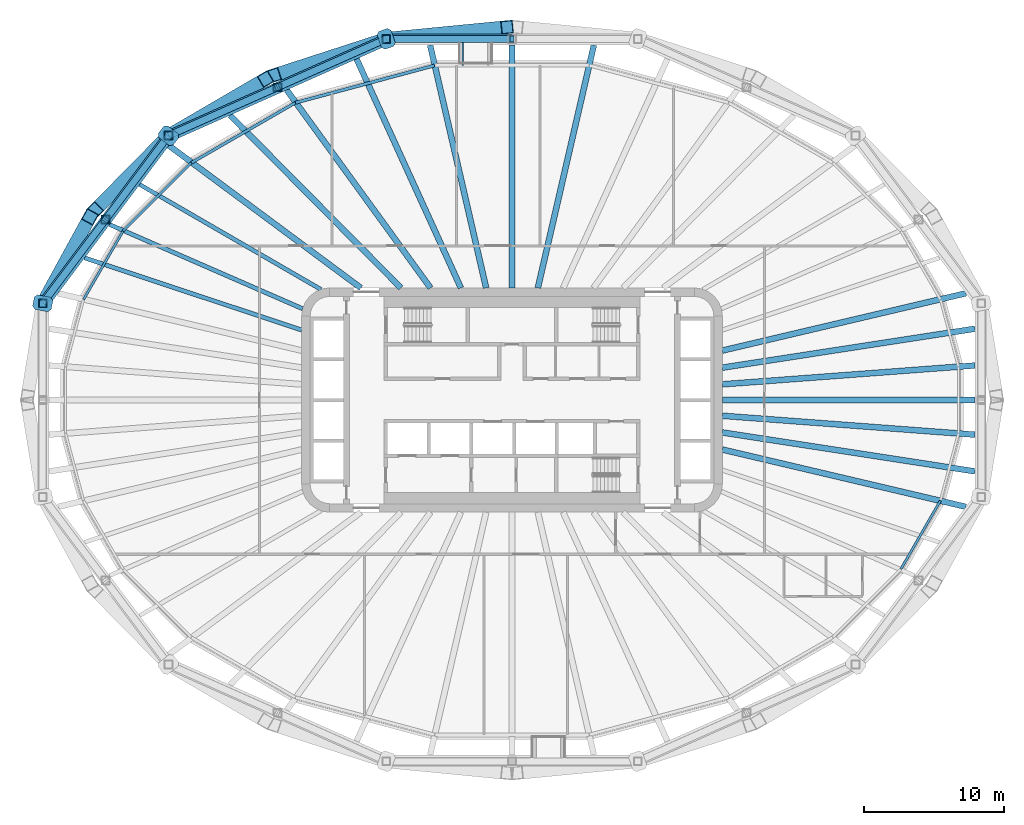
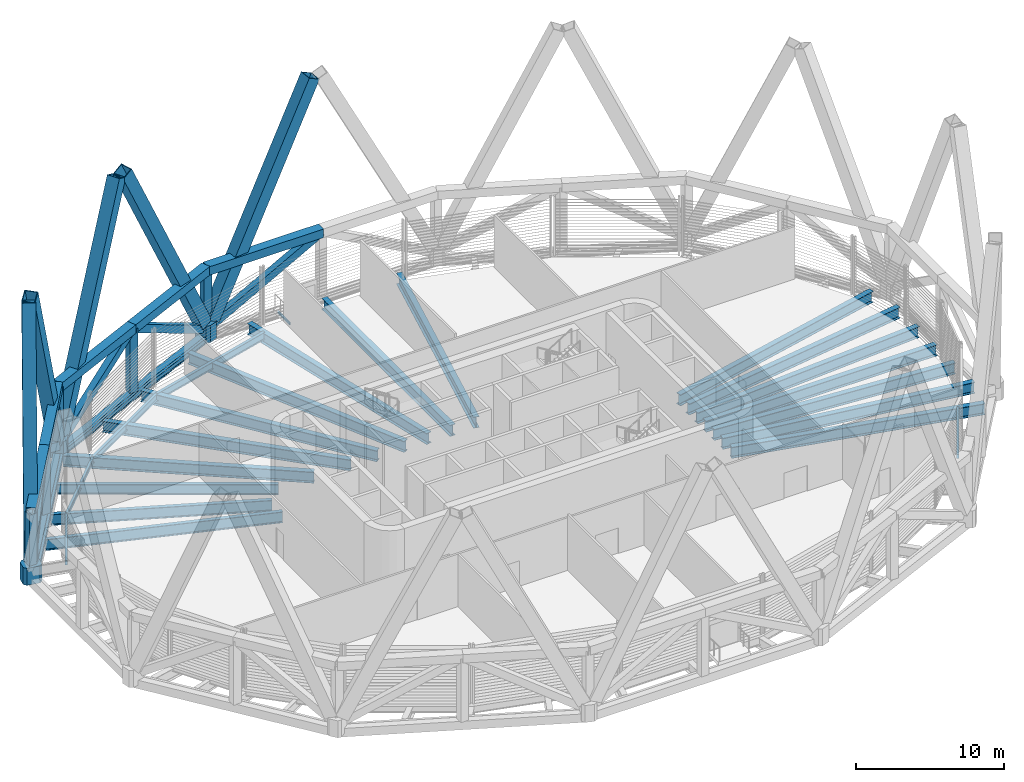
# One storey, part 3 of 18: 27 beams, 23 members.
"""IFC4 building model written with IfcOpenShell, lengths in metres."""

import ifcopenshell
import ifcopenshell.guid

model = None  # the IFC model being written
_history = None  # IfcOwnerHistory: only IFC2X3 demands one
_inside = {}  # id of a spatial element -> (the spatial element, [elements in it])
_under = {}  # id of a project, library or spatial element -> (it, [spatial elements below it])
_declared = {}  # id of a project -> (the project, [libraries it declares])
_typed = {}  # id of a type object -> (the type object, [elements of that type])
_made_of = {}  # id of a material, layer set ... -> (it, [elements and type objects made of it])


def new_model(schema):
    """Start an empty IFC model of exactly this schema.

    Asked for "IFC4X3", IfcOpenShell would pick the latest addendum, in which some entities
    have other attributes; the version numbers below select the first issue.
    IFC2X3 requires an IfcOwnerHistory on every rooted entity: one is made here for all.
    """
    global model, _history
    if schema == "IFC4X3":
        model = ifcopenshell.file(schema_version=(4, 3, 0, 0))
    else:
        model = ifcopenshell.file(schema=schema)
    _inside.clear()
    _under.clear()
    _declared.clear()
    _typed.clear()
    _made_of.clear()
    _history = None
    if model.schema == "IFC2X3":
        org = make("IfcOrganization", Name="unknown")
        user = make(
            "IfcPersonAndOrganization",
            ThePerson=make("IfcPerson", FamilyName="unknown"),
            TheOrganization=org,
        )
        app = make(
            "IfcApplication",
            ApplicationDeveloper=org,
            Version="unknown",
            ApplicationFullName="unknown",
            ApplicationIdentifier="unknown",
        )
        _history = make(
            "IfcOwnerHistory",
            OwningUser=user,
            OwningApplication=app,
            ChangeAction="ADDED",
            CreationDate=0,
        )
    return model


def make(cls, **values):
    """One entity of the class cls with the attributes given. An attribute that is None is left unset."""
    return model.create_entity(
        cls, **{name: value for name, value in values.items() if value is not None}
    )


def rooted(cls, **values):
    """An entity with a GlobalId (a new one), such as an element, a storey or a relation."""
    return make(cls, GlobalId=ifcopenshell.guid.new(), OwnerHistory=_history, **values)


def si_unit(unit_type, name, prefix=None):
    """IfcSIUnit, for example si_unit("LENGTHUNIT", "METRE", prefix="MILLI")."""
    return make("IfcSIUnit", UnitType=unit_type, Prefix=prefix, Name=name)


def assignment(units):
    """IfcUnitAssignment: the units of a project."""
    return None if units is None else make("IfcUnitAssignment", Units=units)


def point(xyz):
    """IfcCartesianPoint."""
    return None if xyz is None else make("IfcCartesianPoint", Coordinates=xyz)


def direction(xyz):
    """IfcDirection."""
    return None if xyz is None else make("IfcDirection", DirectionRatios=xyz)


def frame(location, z_axis=None, x_axis=None):
    """IfcAxis2Placement3D, a coordinate frame: its origin and axes. An axis left out is left unset."""
    return make(
        "IfcAxis2Placement3D",
        Location=point(location),
        Axis=direction(z_axis),
        RefDirection=direction(x_axis),
    )


def frame_2d(location, x_axis=None):
    """IfcAxis2Placement2D, a coordinate frame in the plane: its origin and x axis."""
    return make(
        "IfcAxis2Placement2D", Location=point(location), RefDirection=direction(x_axis)
    )


def origin():
    """The frame at (0, 0, 0) with its axes left unset."""
    return frame((0.0, 0.0, 0.0))


def origin_2d():
    """The frame at (0, 0) in the plane with its x axis left unset."""
    return frame_2d((0.0, 0.0))


def place(relative_to, where):
    """IfcLocalPlacement: puts the frame where relative to a parent placement (None: the world)."""
    return make(
        "IfcLocalPlacement", PlacementRelTo=relative_to, RelativePlacement=where
    )


def context(
    kind, dimensions, precision=None, world=None, true_north=None, identifier=None
):
    """IfcGeometricRepresentationContext, for example the 3D "Model" context."""
    return make(
        "IfcGeometricRepresentationContext",
        ContextIdentifier=identifier,
        ContextType=kind,
        CoordinateSpaceDimension=dimensions,
        Precision=precision,
        WorldCoordinateSystem=world,
        TrueNorth=true_north,
    )


def subcontext(parent, identifier, kind, view, scale=None):
    """IfcGeometricRepresentationSubContext, for example "Body" below "Model"."""
    return make(
        "IfcGeometricRepresentationSubContext",
        ContextIdentifier=identifier,
        ContextType=kind,
        ParentContext=parent,
        TargetScale=scale,
        TargetView=view,
    )


def project(units=None, contexts=None):
    """IfcProject with its units and contexts."""
    return rooted(
        "IfcProject",
        Name="project",
        RepresentationContexts=contexts,
        UnitsInContext=assignment(units),
    )


def spatial(cls, under=None, at=None, **own):
    """A site, building, storey or space (cls), placed at a placement, below another one or the project."""
    s = rooted(cls, ObjectPlacement=at, **own)
    if under is not None:
        _under.setdefault(under.id(), (under, []))[1].append(s)
    return s


def polyline(points):
    """IfcPolyline through the points."""
    return make("IfcPolyline", Points=[point(p) for p in points])


def profile(cls, at=None, kind="AREA", **sizes):
    """A parametric profile (cls). Its sizes go by their IFC names, for example OverallWidth=200.0."""
    return make(cls, ProfileType=kind, Position=at, **sizes)


def hollow_rectangle(**sizes):
    """IfcRectangleHollowProfileDef."""
    return profile("IfcRectangleHollowProfileDef", **sizes)


def i_section(**sizes):
    """IfcIShapeProfileDef."""
    return profile("IfcIShapeProfileDef", **sizes)


def outline(outer, holes=None, kind="AREA"):
    """IfcArbitraryClosedProfileDef: a profile drawn as a closed curve; with holes, ...WithVoids."""
    if holes is None:
        return make("IfcArbitraryClosedProfileDef", ProfileType=kind, OuterCurve=outer)
    return make(
        "IfcArbitraryProfileDefWithVoids",
        ProfileType=kind,
        OuterCurve=outer,
        InnerCurves=holes,
    )


def extrude(swept, where, along, depth):
    """IfcExtrudedAreaSolid: the profile swept, set in the frame where, extruded along a direction by depth."""
    return make(
        "IfcExtrudedAreaSolid",
        SweptArea=swept,
        Position=where,
        ExtrudedDirection=direction(along),
        Depth=depth,
    )


def shape(context_of_items, identifier, shape_type, items):
    """IfcShapeRepresentation: the items that make up one representation, for example the "Body"."""
    return make(
        "IfcShapeRepresentation",
        ContextOfItems=context_of_items,
        RepresentationIdentifier=identifier,
        RepresentationType=shape_type,
        Items=items,
    )


def material(Name=None, Category=None):
    """IfcMaterial."""
    return make("IfcMaterial", Name=Name, Category=Category)


def material_profile(
    of_material, cross_section, Name=None, Category=None, Priority=None
):
    """IfcMaterialProfile: a cross section and its material."""
    return make(
        "IfcMaterialProfile",
        Name=Name,
        Material=of_material,
        Profile=cross_section,
        Priority=Priority,
        Category=Category,
    )


def profile_set(profiles, Name=None, composite=None):
    """IfcMaterialProfileSet."""
    return make(
        "IfcMaterialProfileSet",
        Name=Name,
        MaterialProfiles=profiles,
        CompositeProfile=composite,
    )


def made_of(thing, what):
    """Note that an element or type object is made of a material, layer set ...; save() writes the relation."""
    if what is not None:
        _made_of.setdefault(what.id(), (what, []))[1].append(thing)
    return thing


def type_object(cls, material=None, **own):
    """A type object (cls), such as IfcWallType, which elements share."""
    return made_of(rooted(cls, **own), material)


def element(
    cls,
    number,
    at=None,
    inside=None,
    cuts=None,
    type_object=None,
    material=None,
    context=None,
    identifier="Body",
    shape_type=None,
    held_by="IfcProductDefinitionShape",
    body=None,
    shapes=None,
    **own,
):
    """One element of the class cls, such as IfcWall. Its Tag is "e" and its number.

    at: its placement. inside: the storey or other place that contains it. cuts: it is an
    opening in that element (IfcRelVoidsElement). A single representation is given by context,
    identifier, shape_type and body (its items); several are given by shapes. held_by: the class
    of the entity that holds the representations. save() writes the other relations.
    """
    e = rooted(cls, Tag="e%d" % number, ObjectPlacement=at, **own)
    if body is not None:
        shapes = [shape(context, identifier, shape_type, body)]
    if shapes is not None:
        e.Representation = make(held_by, Representations=shapes)
    if inside is not None:
        _inside.setdefault(inside.id(), (inside, []))[1].append(e)
    if cuts is not None:
        rooted(
            "IfcRelVoidsElement", RelatingBuildingElement=cuts, RelatedOpeningElement=e
        )
    if type_object is not None:
        _typed.setdefault(type_object.id(), (type_object, []))[1].append(e)
    return made_of(e, material)


def aggregate(whole, parts):
    """IfcRelAggregates: a whole, such as a stair, and the parts it consists of."""
    return rooted("IfcRelAggregates", RelatingObject=whole, RelatedObjects=parts)


def save(model, path):
    """Write the relations noted so far, then the file.

    IfcRelAggregates (storeys below a building ...), IfcRelContainedInSpatialStructure (elements
    in a storey), IfcRelDefinesByType, IfcRelAssociatesMaterial and IfcRelDeclares: one each for
    every whole, place, type object, material and project.
    """
    for whole, parts in _under.values():
        aggregate(whole, parts)
    for where, things in _inside.values():
        rooted(
            "IfcRelContainedInSpatialStructure",
            RelatedElements=things,
            RelatingStructure=where,
        )
    for kind, things in _typed.values():
        rooted("IfcRelDefinesByType", RelatedObjects=things, RelatingType=kind)
    for what, things in _made_of.values():
        rooted("IfcRelAssociatesMaterial", RelatedObjects=things, RelatingMaterial=what)
    for by, libraries in _declared.values():
        rooted("IfcRelDeclares", RelatingContext=by, RelatedDefinitions=libraries)
    model.write(path)


model = new_model("IFC4")

# Units and contexts
model_context = context("Model", 3, precision=1e-05, world=origin(), true_north=direction((0.0, 1.0)))
body_context = subcontext(model_context, "Body", "Model", "MODEL_VIEW")
ifc_project = project(units=[si_unit("LENGTHUNIT", "METRE"), si_unit("AREAUNIT", "SQUARE_METRE"), si_unit("VOLUMEUNIT", "CUBIC_METRE"), si_unit("PLANEANGLEUNIT", "RADIAN"), si_unit("MASSUNIT", "GRAM", prefix="KILO")], contexts=[model_context])

# Site, building, storey
site_placement = place(None, origin())
site = spatial("IfcSite", under=ifc_project, at=site_placement, CompositionType="ELEMENT")
building_placement = place(site_placement, origin())
building = spatial("IfcBuilding", under=site, at=building_placement, Name="Sahrelin Media Tower", CompositionType="ELEMENT")
storey_placement = place(building_placement, frame((0.0, 0.0, 96.60009765625)))
storey = spatial("IfcBuildingStorey", under=building, at=storey_placement, Name="L18", CompositionType="ELEMENT", Elevation=96.60009765625)

# Members
ifc_material_1 = material(Name="Steel S460", Category="steel")
ifc_material_profile_1 = material_profile(ifc_material_1, hollow_rectangle(XDim=0.699951171875, YDim=0.699951171875, WallThickness=0.044921875, at=origin_2d()), Name="Belt truss chord BC")
ifc_profile_set_1 = profile_set([ifc_material_profile_1], Name="Steel S460")
member_type_1 = type_object("IfcMemberType", Name="Belt truss chord BC", PredefinedType="CHORD", material=ifc_profile_set_1)
member_1_placement = place(storey_placement, frame((0.0, 25.76123046875, 4.89990234375), z_axis=(-1.0, 0.0, 0.0), x_axis=(0.0, -1.0, 0.0)))
element("IfcMember", 1, at=member_1_placement, inside=storey, type_object=member_type_1, Name="Belt truss member BT03-02-T2", PredefinedType="CHORD", context=body_context, shape_type="SweptSolid", body=[
    extrude(hollow_rectangle(XDim=0.699951171875, YDim=0.699951171875, WallThickness=0.044921875, at=origin_2d()), origin(), (0.0, 0.0, 1.0), 8.968017578125),
])
for number, where, z_axis, x_axis, name in (
    (2, (-8.968017578125, 25.76123046875, 4.89990234375), (-0.913829316363, -0.406098486276, 0.0), (0.406098486276, -0.913829316363, 0.0), "Belt truss member BT03-03-T1"),
    (3, (-16.734619140625, 22.309814453125, 4.89990234375), (-0.913829316363, -0.406098486276, 0.0), (0.406098486276, -0.913829316363, 0.0), "Belt truss member BT03-03-T2"),
):
    element("IfcMember", number, at=place(storey_placement, frame(where, z_axis=z_axis, x_axis=x_axis)), inside=storey, type_object=member_type_1, Name=name, PredefinedType="CHORD", context=body_context, shape_type="SweptSolid", body=[
        extrude(hollow_rectangle(XDim=0.699951171875, YDim=0.699951171875, WallThickness=0.044921875, at=origin_2d()), origin(), (0.0, 0.0, 1.0), 8.4990234375),
    ])
for number, where, z_axis, x_axis, name in (
    (4, (-24.501220703125, 18.8583984375, 4.89990234375), (-0.600067953481, -0.79994903038, 0.0), (0.79994903038, -0.600067953481, 0.0), "Belt truss member BT03-04-T1"),
    (5, (-28.9853515625, 12.880615234375, 4.89990234375), (-0.600031363478, -0.799976476431, 0.0), (0.799976476431, -0.600031363478, 0.0), "Belt truss member BT03-04-T2"),
):
    element("IfcMember", number, at=place(storey_placement, frame(where, z_axis=z_axis, x_axis=x_axis)), inside=storey, type_object=member_type_1, Name=name, PredefinedType="CHORD", context=body_context, shape_type="SweptSolid", body=[
        extrude(hollow_rectangle(XDim=0.699951171875, YDim=0.699951171875, WallThickness=0.044921875, at=origin_2d()), origin(), (0.0, 0.0, 1.0), 7.47265625),
    ])
ifc_material_profile_2 = material_profile(ifc_material_1, hollow_rectangle(XDim=0.5, YDim=0.60009765625, WallThickness=0.030029296875, at=origin_2d()), Name="Belt truss diagonal BD")
ifc_profile_set_2 = profile_set([ifc_material_profile_2], Name="Steel S460")
member_type_2 = type_object("IfcMemberType", Name="Belt truss diagonal BD", PredefinedType="BRACE", material=ifc_profile_set_2)
member_2_placement = place(storey_placement, frame((-8.412109375, 25.76123046875, 0.3037109375), z_axis=(0.877554684611, 0.0, 0.479476564096), x_axis=(0.0, 1.0, 0.0)))
element("IfcMember", 6, at=member_2_placement, inside=storey, type_object=member_type_2, Name="Belt truss member BT03-02-X2", PredefinedType="BRACE", context=body_context, shape_type="SweptSolid", body=[
    extrude(hollow_rectangle(XDim=0.5, YDim=0.60009765625, WallThickness=0.030029296875, at=origin_2d()), origin(), (0.0, 0.0, 1.0), 9.5859375),
])
member_3_placement = place(storey_placement, frame((-9.449462890625, 25.54736328125, 0.3037109375), z_axis=(-0.791676830159, -0.351823942518, 0.499467426427), x_axis=(0.406107210213, -0.913825439465, 0.0)))
element("IfcMember", 7, at=member_3_placement, inside=storey, type_object=member_type_2, Name="Belt truss member BT03-03-X1", PredefinedType="BRACE", context=body_context, shape_type="SweptSolid", body=[
    extrude(hollow_rectangle(XDim=0.5, YDim=0.60009765625, WallThickness=0.030029296875, at=origin_2d()), origin(), (0.0, 0.0, 1.0), 9.2021484375),
])
member_4_placement = place(storey_placement, frame((-23.95556640625, 19.10107421875, 0.34423828125), z_axis=(0.791685975004, 0.351797977127, 0.499471220664), x_axis=(-0.40607826395, 0.913838302736, 0.0)))
element("IfcMember", 8, at=member_4_placement, inside=storey, type_object=member_type_2, Name="Belt truss member BT03-03-X2", PredefinedType="BRACE", context=body_context, shape_type="SweptSolid", body=[
    extrude(hollow_rectangle(XDim=0.5, YDim=0.60009765625, WallThickness=0.030029296875, at=origin_2d()), origin(), (0.0, 0.0, 1.0), 9.12109375),
])
member_5_placement = place(storey_placement, frame((-24.81640625, 18.4384765625, 0.34423828125), z_axis=(-0.501794767351, -0.668971531901, 0.548342138602), x_axis=(0.799962047202, -0.600050600396, 0.0)))
element("IfcMember", 9, at=member_5_placement, inside=storey, type_object=member_type_2, Name="Belt truss member BT03-04-X1", PredefinedType="BRACE", context=body_context, shape_type="SweptSolid", body=[
    extrude(hollow_rectangle(XDim=0.5, YDim=0.60009765625, WallThickness=0.030029296875, at=origin_2d()), origin(), (0.0, 0.0, 1.0), 8.30810546875),
])
member_6_placement = place(storey_placement, frame((-33.12109375, 7.366943359375, 0.38037109375), z_axis=(0.501786672946, 0.668969906837, 0.54835152831), x_axis=(-0.799965993785, 0.600045338944, 0.0)))
element("IfcMember", 10, at=member_6_placement, inside=storey, type_object=member_type_2, Name="Belt truss member BT03-04-X2", PredefinedType="BRACE", context=body_context, shape_type="SweptSolid", body=[
    extrude(hollow_rectangle(XDim=0.5, YDim=0.60009765625, WallThickness=0.030029296875, at=origin_2d()), origin(), (0.0, 0.0, 1.0), 8.241943359375),
])
ifc_material_profile_3 = material_profile(ifc_material_1, hollow_rectangle(XDim=0.60009765625, YDim=0.60009765625, WallThickness=0.034912109375, at=origin_2d()), Name="Belt truss post BP")
ifc_profile_set_3 = profile_set([ifc_material_profile_3], Name="Steel S460")
member_type_3 = type_object("IfcMemberType", Name="Belt truss post BP", PredefinedType="POST", material=ifc_profile_set_3)
member_7_placement = place(storey_placement, frame((-8.968017578125, 25.76123046875, 0.699951171875), z_axis=(0.0, 0.0, 1.0), x_axis=(1.0, 0.0, 0.0)))
element("IfcMember", 11, at=member_7_placement, inside=storey, type_object=member_type_3, Name="Belt truss member BT03-03-P0", PredefinedType="POST", context=body_context, shape_type="SweptSolid", body=[
    extrude(hollow_rectangle(XDim=0.60009765625, YDim=0.60009765625, WallThickness=0.034912109375, at=origin_2d()), origin(), (0.0, 0.0, 1.0), 4.199951171875),
])
member_8_placement = place(storey_placement, frame((-16.734619140625, 22.309814453125, -0.320068359375), z_axis=(0.0, 0.0, 1.0), x_axis=(1.0, 0.0, 0.0)))
element("IfcMember", 12, at=member_8_placement, inside=storey, type_object=member_type_3, Name="Belt truss member BT03-03-P1", PredefinedType="POST", context=body_context, shape_type="SweptSolid", body=[
    extrude(hollow_rectangle(XDim=0.60009765625, YDim=0.60009765625, WallThickness=0.034912109375, at=origin_2d()), origin(), (0.0, 0.0, 1.0), 5.219970703125),
])
member_9_placement = place(storey_placement, frame((-24.501220703125, 18.8583984375, 0.699951171875), z_axis=(0.0, 0.0, 1.0), x_axis=(1.0, 0.0, 0.0)))
element("IfcMember", 13, at=member_9_placement, inside=storey, type_object=member_type_3, Name="Belt truss member BT03-04-P0", PredefinedType="POST", context=body_context, shape_type="SweptSolid", body=[
    extrude(hollow_rectangle(XDim=0.60009765625, YDim=0.60009765625, WallThickness=0.034912109375, at=origin_2d()), origin(), (0.0, 0.0, 1.0), 4.199951171875),
])
member_10_placement = place(storey_placement, frame((-28.9853515625, 12.880615234375, -0.320068359375), z_axis=(0.0, 0.0, 1.0), x_axis=(1.0, 0.0, 0.0)))
element("IfcMember", 14, at=member_10_placement, inside=storey, type_object=member_type_3, Name="Belt truss member BT03-04-P1", PredefinedType="POST", context=body_context, shape_type="SweptSolid", body=[
    extrude(hollow_rectangle(XDim=0.60009765625, YDim=0.60009765625, WallThickness=0.034912109375, at=origin_2d()), origin(), (0.0, 0.0, 1.0), 5.219970703125),
])
member_11_placement = place(storey_placement, frame((-33.46923828125, 6.902587890625, 0.699951171875), z_axis=(0.0, 0.0, 1.0), x_axis=(1.0, 0.0, 0.0)))
element("IfcMember", 15, at=member_11_placement, inside=storey, type_object=member_type_3, Name="Belt truss member BT03-05-P0", PredefinedType="POST", context=body_context, shape_type="SweptSolid", body=[
    extrude(hollow_rectangle(XDim=0.60009765625, YDim=0.60009765625, WallThickness=0.034912109375, at=origin_2d()), origin(), (0.0, 0.0, 1.0), 4.199951171875),
])
ifc_material_profile_4 = material_profile(ifc_material_1, hollow_rectangle(XDim=0.949951171875, YDim=0.949951171875, WallThickness=0.054931640625, at=origin_2d()), Name="Diagrid diagonal DG2")
ifc_profile_set_4 = profile_set([ifc_material_profile_4], Name="Steel S460")
member_type_4 = type_object("IfcMemberType", Name="Diagrid diagonal DG2", PredefinedType="BRACE", material=ifc_profile_set_4)
member_12_placement = place(storey_placement, frame((-8.619384765625, 25.794921875, 0.699951171875), z_axis=(0.445531291563, 0.043019626128, 0.894232173435), x_axis=(-0.096111031278, 0.99537061925, 0.0)))
element("IfcMember", 16, at=member_12_placement, inside=storey, type_object=member_type_4, Name="Diagrid diagonal D03-06", PredefinedType="BRACE", context=body_context, shape_type="SweptSolid", body=[
    extrude(hollow_rectangle(XDim=0.949951171875, YDim=0.949951171875, WallThickness=0.054931640625, at=origin_2d()), origin(), (0.0, 0.0, 1.0), 18.563232421875),
])
member_13_placement = place(storey_placement, frame((-9.2919921875, 25.656005859375, 0.699951171875), z_axis=(-0.416103339156, -0.134953864114, 0.899247166081), x_axis=(0.308507655492, -0.951221859769, 0.0)))
element("IfcMember", 17, at=member_13_placement, inside=storey, type_object=member_type_4, Name="Diagrid diagonal D03-07", PredefinedType="BRACE", context=body_context, shape_type="SweptSolid", body=[
    extrude(hollow_rectangle(XDim=0.949951171875, YDim=0.949951171875, WallThickness=0.054931640625, at=origin_2d()), origin(), (0.0, 0.0, 1.0), 18.459716796875),
])
member_14_placement = place(storey_placement, frame((-24.220947265625, 19.02197265625, 0.699951171875), z_axis=(0.363136743751, 0.211780836518, 0.907348104435), x_axis=(-0.503784178099, 0.863829556045, 0.0)))
element("IfcMember", 18, at=member_14_placement, inside=storey, type_object=member_type_4, Name="Diagrid diagonal D03-08", PredefinedType="BRACE", context=body_context, shape_type="SweptSolid", body=[
    extrude(hollow_rectangle(XDim=0.949951171875, YDim=0.949951171875, WallThickness=0.054931640625, at=origin_2d()), origin(), (0.0, 0.0, 1.0), 18.294921875),
])
member_15_placement = place(storey_placement, frame((-24.71337890625, 18.642822265625, 0.699951171875), z_axis=(-0.278358636156, -0.28275966993, 0.917912544166), x_axis=(0.712630930764, -0.70153913399, 0.0)))
element("IfcMember", 19, at=member_15_placement, inside=storey, type_object=member_type_4, Name="Diagrid diagonal D03-09", PredefinedType="BRACE", context=body_context, shape_type="SweptSolid", body=[
    extrude(hollow_rectangle(XDim=0.949951171875, YDim=0.949951171875, WallThickness=0.054931640625, at=origin_2d()), origin(), (0.0, 0.0, 1.0), 18.08447265625),
])
member_16_placement = place(storey_placement, frame((-33.332763671875, 7.152099609375, 0.699951171875), z_axis=(0.180665652257, 0.329989397727, 0.926534899225), x_axis=(-0.877144222049, 0.480227043935, 0.0)))
element("IfcMember", 20, at=member_16_placement, inside=storey, type_object=member_type_4, Name="Diagrid diagonal D03-10", PredefinedType="BRACE", context=body_context, shape_type="SweptSolid", body=[
    extrude(hollow_rectangle(XDim=0.949951171875, YDim=0.949951171875, WallThickness=0.054931640625, at=origin_2d()), origin(), (0.0, 0.0, 1.0), 17.916015625),
])
ifc_material_profile_5 = material_profile(ifc_material_1, outline(polyline([(0.47509765625, -0.52490234375), (0.675048828125, -0.324951171875), (0.675048828125, 0.324951171875), (0.47509765625, 0.52490234375), (-0.47509765625, 0.52490234375), (-0.675048828125, 0.324951171875), (-0.675048828125, -0.324951171875), (-0.47509765625, -0.52490234375), (0.47509765625, -0.52490234375)])), Name="Diagrid node block 1350")
ifc_profile_set_5 = profile_set([ifc_material_profile_5], Name="Steel S460")
member_type_5 = type_object("IfcMemberType", Name="Diagrid node block 1350", PredefinedType="USERDEFINED", material=ifc_profile_set_5)
for number, where, z_axis, x_axis, name in (
    (21, (-8.968017578125, 25.76123046875, -0.7001953125), (0.0, 0.0, 1.0), (-0.328771046687, 0.944409656272, 0.0), "Diagrid node N03-03"),
    (22, (-24.501220703125, 18.8583984375, -0.7001953125), (0.0, 0.0, 1.0), (-0.792445093645, 0.609943254376, 0.0), "Diagrid node N03-04"),
    (23, (-33.46923828125, 6.902587890625, -0.7001953125), (0.0, 0.0, 1.0), (-0.979387770926, 0.201989094163, 0.0), "Diagrid node N03-05"),
):
    element("IfcMember", number, at=place(storey_placement, frame(where, z_axis=z_axis, x_axis=x_axis)), inside=storey, type_object=member_type_5, Name=name, ObjectType="NODE", PredefinedType="USERDEFINED", context=body_context, shape_type="SweptSolid", body=[
        extrude(outline(polyline([(0.47509765625, -0.52490234375), (0.675048828125, -0.324951171875), (0.675048828125, 0.324951171875), (0.47509765625, 0.52490234375), (-0.47509765625, 0.52490234375), (-0.675048828125, 0.324951171875), (-0.675048828125, -0.324951171875), (-0.47509765625, -0.52490234375), (0.47509765625, -0.52490234375)])), origin(), (0.0, 0.0, 1.0), 1.400146484375),
    ])

# Beams
ifc_material_profile_6 = material_profile(ifc_material_1, hollow_rectangle(XDim=0.5, YDim=0.699951171875, WallThickness=0.034912109375, at=origin_2d()), Name="Diagrid ring beam RB2")
ifc_profile_set_6 = profile_set([ifc_material_profile_6], Name="Steel S460")
beam_type_1 = type_object("IfcBeamType", Name="Diagrid ring beam RB2", PredefinedType="BEAM", material=ifc_profile_set_6)
beam_1_placement = place(storey_placement, frame((-8.968017578125, 25.76123046875, -0.650146484375), z_axis=(-0.913829316363, -0.406098486276, 0.0), x_axis=(0.406098486276, -0.913829316363, 0.0)))
element("IfcBeam", 24, at=beam_1_placement, inside=storey, type_object=beam_type_1, Name="Diagrid ring beam RB03-03", PredefinedType="BEAM", context=body_context, shape_type="SweptSolid", body=[
    extrude(hollow_rectangle(XDim=0.5, YDim=0.699951171875, WallThickness=0.034912109375, at=origin_2d()), origin(), (0.0, 0.0, 1.0), 16.998046875),
])
beam_2_placement = place(storey_placement, frame((-24.501220703125, 18.8583984375, -0.650146484375), z_axis=(-0.600049658577, -0.799962753659, 0.0), x_axis=(0.799962753659, -0.600049658577, 0.0)))
element("IfcBeam", 25, at=beam_2_placement, inside=storey, type_object=beam_type_1, Name="Diagrid ring beam RB03-04", PredefinedType="BEAM", context=body_context, shape_type="SweptSolid", body=[
    extrude(hollow_rectangle(XDim=0.5, YDim=0.699951171875, WallThickness=0.034912109375, at=origin_2d()), origin(), (0.0, 0.0, 1.0), 14.945556640625),
])
ifc_material_2 = material(Name="Steel S355", Category="steel")
ifc_material_profile_7 = material_profile(ifc_material_2, i_section(OverallWidth=0.17138671875, OverallDepth=0.35498046875, WebThickness=0.00732421875, FlangeThickness=0.011474609375, FilletRadius=0.01025390625, at=origin_2d()), Name="UB 356x171x51")
ifc_profile_set_7 = profile_set([ifc_material_profile_7], Name="Steel S355")
beam_type_2 = type_object("IfcBeamType", Name="Edge beam EB3", PredefinedType="BEAM", material=ifc_profile_set_7)
for number, where, z_axis, x_axis, name in (
    (26, (30.553466796875, -7.177001953125, -0.4775390625), (-0.5000156639, -0.866016360039, 0.0), (0.866016360039, -0.5000156639, 0.0), "Edge beam L18-03"),
    (27, (-30.553466796875, 7.177001953125, -0.4775390625), (0.5000156639, 0.866016360039, 0.0), (-0.866016360039, 0.5000156639, 0.0), "Edge beam L18-15"),
):
    element("IfcBeam", number, at=place(storey_placement, frame(where, z_axis=z_axis, x_axis=x_axis)), inside=storey, type_object=beam_type_2, Name=name, PredefinedType="BEAM", context=body_context, shape_type="SweptSolid", body=[
        extrude(i_section(OverallWidth=0.17138671875, OverallDepth=0.35498046875, WebThickness=0.00732421875, FlangeThickness=0.011474609375, FilletRadius=0.01025390625, at=origin_2d()), origin(), (0.0, 0.0, 1.0), 5.621826171875),
    ])
ifc_material_profile_8 = material_profile(ifc_material_2, i_section(OverallWidth=0.177978515625, OverallDepth=0.406494140625, WebThickness=0.0078125, FlangeThickness=0.0126953125, FilletRadius=0.01025390625, at=origin_2d()), Name="UB 406x178x60")
ifc_profile_set_8 = profile_set([ifc_material_profile_8], Name="Steel S355")
beam_type_3 = type_object("IfcBeamType", Name="Edge beam EB4", PredefinedType="BEAM", material=ifc_profile_set_8)
beam_3_placement = place(storey_placement, frame((-27.724853515625, 12.068603515625, -0.50341796875), z_axis=(0.707106781187, 0.707106781187, 0.0), x_axis=(-0.707106781187, 0.707106781187, 0.0)))
element("IfcBeam", 28, at=beam_3_placement, inside=storey, type_object=beam_type_3, Name="Edge beam L18-16", PredefinedType="BEAM", context=body_context, shape_type="SweptSolid", body=[
    extrude(i_section(OverallWidth=0.177978515625, OverallDepth=0.406494140625, WebThickness=0.0078125, FlangeThickness=0.0126953125, FilletRadius=0.01025390625, at=origin_2d()), origin(), (0.0, 0.0, 1.0), 6.843994140625),
])
ifc_material_profile_9 = material_profile(ifc_material_2, i_section(OverallWidth=0.208740234375, OverallDepth=0.5283203125, WebThickness=0.009521484375, FlangeThickness=0.01318359375, FilletRadius=0.0126953125, at=origin_2d()), Name="UB 533x210x82")
ifc_profile_set_9 = profile_set([ifc_material_profile_9], Name="Steel S355")
beam_type_4 = type_object("IfcBeamType", Name="Edge beam EB6", PredefinedType="BEAM", material=ifc_profile_set_9)
beam_4_placement = place(storey_placement, frame((-22.862548828125, 16.925537109375, -0.564208984375), z_axis=(0.866026195692, 0.499998628373, 0.0), x_axis=(-0.499998628373, 0.866026195692, 0.0)))
element("IfcBeam", 29, at=beam_4_placement, inside=storey, type_object=beam_type_4, Name="Edge beam L18-17", PredefinedType="BEAM", context=body_context, shape_type="SweptSolid", body=[
    extrude(i_section(OverallWidth=0.208740234375, OverallDepth=0.5283203125, WebThickness=0.009521484375, FlangeThickness=0.01318359375, FilletRadius=0.0126953125, at=origin_2d()), origin(), (0.0, 0.0, 1.0), 8.544921875),
])
ifc_material_profile_10 = material_profile(ifc_material_2, i_section(OverallWidth=0.2275390625, OverallDepth=0.6025390625, WebThickness=0.010498046875, FlangeThickness=0.014892578125, FilletRadius=0.0126953125, at=origin_2d()), Name="UB 610x229x101")
ifc_profile_set_10 = profile_set([ifc_material_profile_10], Name="Steel S355")
beam_type_5 = type_object("IfcBeamType", Name="Edge beam EB7", PredefinedType="BEAM", material=ifc_profile_set_10)
beam_5_placement = place(storey_placement, frame((-15.435791015625, 21.208984375, -0.601318359375), z_axis=(0.965924345533, 0.258824571297, 0.0), x_axis=(-0.258824571297, 0.965924345533, 0.0)))
element("IfcBeam", 30, at=beam_5_placement, inside=storey, type_object=beam_type_5, Name="Edge beam L18-18", PredefinedType="BEAM", context=body_context, shape_type="SweptSolid", body=[
    extrude(i_section(OverallWidth=0.2275390625, OverallDepth=0.6025390625, WebThickness=0.010498046875, FlangeThickness=0.014892578125, FilletRadius=0.0126953125, at=origin_2d()), origin(), (0.0, 0.0, 1.0), 10.25146484375),
])
ifc_material_profile_11 = material_profile(ifc_material_2, hollow_rectangle(XDim=0.10009765625, YDim=0.199951171875, WallThickness=0.008056640625, at=origin_2d()), Name="RHS 200x100x8")
ifc_profile_set_11 = profile_set([ifc_material_profile_11], Name="Steel S355")
beam_type_6 = type_object("IfcBeamType", Name="Platform support beam", PredefinedType="BEAM", material=ifc_profile_set_11)
beam_6_placement = place(storey_placement, frame((-3.5, 23.871826171875, -0.400146484375), z_axis=(0.0, 1.0, 0.0), x_axis=(-1.0, 0.0, 0.0)))
element("IfcBeam", 31, at=beam_6_placement, inside=storey, type_object=beam_type_6, Name="Platform support beam L18-06", PredefinedType="BEAM", context=body_context, shape_type="SweptSolid", body=[
    extrude(hollow_rectangle(XDim=0.10009765625, YDim=0.199951171875, WallThickness=0.008056640625, at=origin_2d()), origin(), (0.0, 0.0, 1.0), 1.639404296875),
])
ifc_material_profile_12 = material_profile(ifc_material_2, i_section(OverallWidth=0.30322265625, OverallDepth=0.903076171875, WebThickness=0.01513671875, FlangeThickness=0.020263671875, FilletRadius=0.01904296875, at=origin_2d()), Name="UB 914x305x201")
ifc_profile_set_12 = profile_set([ifc_material_profile_12], Name="Steel S355")
beam_type_7 = type_object("IfcBeamType", Name="Radial primary beam PB11", PredefinedType="BEAM", material=ifc_profile_set_12)
beam_7_placement = place(storey_placement, frame((-14.932373046875, 6.513427734375, -0.751708984375), z_axis=(-0.916592885932, 0.399821812136, 0.0), x_axis=(-0.399821812136, -0.916592885932, 0.0)))
element("IfcBeam", 32, at=beam_7_placement, inside=storey, type_object=beam_type_7, Name="Radial beam L18-10", PredefinedType="BEAM", context=body_context, shape_type="SweptSolid", body=[
    extrude(i_section(OverallWidth=0.30322265625, OverallDepth=0.903076171875, WebThickness=0.01513671875, FlangeThickness=0.020263671875, FilletRadius=0.01904296875, at=origin_2d()), origin(), (0.0, 0.0, 1.0), 15.02001953125),
])
ifc_material_profile_13 = material_profile(ifc_material_2, i_section(OverallWidth=0.41845703125, OverallDepth=0.911865234375, WebThickness=0.019287109375, FlangeThickness=0.031982421875, FilletRadius=0.024169921875, at=origin_2d()), Name="UB 914x419x343")
ifc_profile_set_13 = profile_set([ifc_material_profile_13], Name="Steel S355")
beam_type_8 = type_object("IfcBeamType", Name="Radial primary beam PB12", PredefinedType="BEAM", material=ifc_profile_set_13)
beam_8_placement = place(storey_placement, frame((15.0, 1.12109375, -0.756103515625), z_axis=(0.997219371727, 0.074521974288, 0.0), x_axis=(-0.074521974288, 0.997219371727, 0.0)))
element("IfcBeam", 33, at=beam_8_placement, inside=storey, type_object=beam_type_8, Name="Radial beam L18-01", PredefinedType="BEAM", context=body_context, shape_type="SweptSolid", body=[
    extrude(i_section(OverallWidth=0.41845703125, OverallDepth=0.911865234375, WebThickness=0.019287109375, FlangeThickness=0.031982421875, FilletRadius=0.024169921875, at=origin_2d()), origin(), (0.0, 0.0, 1.0), 18.07421875),
])
beam_9_placement = place(storey_placement, frame((15.0, 3.52880859375, -0.756103515625), z_axis=(0.973427211661, 0.228996645387, 0.0), x_axis=(-0.228996645387, 0.973427211661, 0.0)))
element("IfcBeam", 34, at=beam_9_placement, inside=storey, type_object=beam_type_8, Name="Radial beam L18-02", PredefinedType="BEAM", context=body_context, shape_type="SweptSolid", body=[
    extrude(i_section(OverallWidth=0.41845703125, OverallDepth=0.911865234375, WebThickness=0.019287109375, FlangeThickness=0.031982421875, FilletRadius=0.024169921875, at=origin_2d()), origin(), (0.0, 0.0, 1.0), 17.851318359375),
])
for number, where, z_axis, x_axis, name in (
    (35, (1.84521484375, 8.0, -0.756103515625), (0.224748130756, 0.974416891131, 0.0), (-0.974416891131, 0.224748130756, 0.0), "Radial beam L18-06"),
    (36, (-1.84521484375, 8.0, -0.756103515625), (-0.224748130756, 0.974416891131, 0.0), (-0.974416891131, -0.224748130756, 0.0), "Radial beam L18-07"),
):
    element("IfcBeam", number, at=place(storey_placement, frame(where, z_axis=z_axis, x_axis=x_axis)), inside=storey, type_object=beam_type_8, Name=name, PredefinedType="BEAM", context=body_context, shape_type="SweptSolid", body=[
        extrude(i_section(OverallWidth=0.41845703125, OverallDepth=0.911865234375, WebThickness=0.019287109375, FlangeThickness=0.031982421875, FilletRadius=0.024169921875, at=origin_2d()), origin(), (0.0, 0.0, 1.0), 17.7705078125),
    ])
beam_10_placement = place(storey_placement, frame((-5.812255859375, 8.0, -0.756103515625), z_axis=(-0.587771505131, 0.809026982094, 0.0), x_axis=(-0.809026982094, -0.587771505131, 0.0)))
element("IfcBeam", 37, at=beam_10_placement, inside=storey, type_object=beam_type_8, Name="Radial beam L18-08", PredefinedType="BEAM", context=body_context, shape_type="SweptSolid", body=[
    extrude(i_section(OverallWidth=0.41845703125, OverallDepth=0.911865234375, WebThickness=0.019287109375, FlangeThickness=0.031982421875, FilletRadius=0.024169921875, at=origin_2d()), origin(), (0.0, 0.0, 1.0), 17.45068359375),
])
beam_11_placement = place(storey_placement, frame((-10.78369140625, 8.0, -0.756103515625), z_axis=(-0.803136278575, 0.595795365907, 0.0), x_axis=(-0.595795365907, -0.803136278575, 0.0)))
element("IfcBeam", 38, at=beam_11_placement, inside=storey, type_object=beam_type_8, Name="Radial beam L18-09", PredefinedType="BEAM", context=body_context, shape_type="SweptSolid", body=[
    extrude(i_section(OverallWidth=0.41845703125, OverallDepth=0.911865234375, WebThickness=0.019287109375, FlangeThickness=0.031982421875, FilletRadius=0.024169921875, at=origin_2d()), origin(), (0.0, 0.0, 1.0), 17.044189453125),
])
beam_12_placement = place(storey_placement, frame((15.0, -3.52880859375, -0.756103515625), z_axis=(0.973427211661, -0.228996645387, 0.0), x_axis=(0.228996645387, 0.973427211661, 0.0)))
element("IfcBeam", 39, at=beam_12_placement, inside=storey, type_object=beam_type_8, Name="Radial beam L18-23", PredefinedType="BEAM", context=body_context, shape_type="SweptSolid", body=[
    extrude(i_section(OverallWidth=0.41845703125, OverallDepth=0.911865234375, WebThickness=0.019287109375, FlangeThickness=0.031982421875, FilletRadius=0.024169921875, at=origin_2d()), origin(), (0.0, 0.0, 1.0), 17.851318359375),
])
beam_13_placement = place(storey_placement, frame((15.0, -1.12109375, -0.756103515625), z_axis=(0.997219371727, -0.074521974288, 0.0), x_axis=(0.074521974288, 0.997219371727, 0.0)))
element("IfcBeam", 40, at=beam_13_placement, inside=storey, type_object=beam_type_8, Name="Radial beam L18-24", PredefinedType="BEAM", context=body_context, shape_type="SweptSolid", body=[
    extrude(i_section(OverallWidth=0.41845703125, OverallDepth=0.911865234375, WebThickness=0.019287109375, FlangeThickness=0.031982421875, FilletRadius=0.024169921875, at=origin_2d()), origin(), (0.0, 0.0, 1.0), 18.07421875),
])
ifc_material_profile_14 = material_profile(ifc_material_2, i_section(OverallWidth=0.291748046875, OverallDepth=0.8349609375, WebThickness=0.013916015625, FlangeThickness=0.018798828125, FilletRadius=0.017822265625, at=origin_2d()), Name="UB 838x292x176")
ifc_profile_set_14 = profile_set([ifc_material_profile_14], Name="Steel S355")
beam_type_9 = type_object("IfcBeamType", Name="Radial secondary beam SB10", PredefinedType="BEAM", material=ifc_profile_set_14)
beam_14_placement = place(storey_placement, frame((-13.624267578125, 7.8876953125, -0.717529296875), z_axis=(-0.865434487743, 0.501022102731, 0.0), x_axis=(-0.501022102731, -0.865434487743, 0.0)))
element("IfcBeam", 41, at=beam_14_placement, inside=storey, type_object=beam_type_9, Name="Secondary beam L18-09", PredefinedType="BEAM", context=body_context, shape_type="SweptSolid", body=[
    extrude(i_section(OverallWidth=0.291748046875, OverallDepth=0.8349609375, WebThickness=0.013916015625, FlangeThickness=0.018798828125, FilletRadius=0.017822265625, at=origin_2d()), origin(), (0.0, 0.0, 1.0), 14.944091796875),
])
ifc_material_profile_15 = material_profile(ifc_material_2, i_section(OverallWidth=0.30322265625, OverallDepth=0.903076171875, WebThickness=0.01513671875, FlangeThickness=0.020263671875, FilletRadius=0.01904296875, at=origin_2d()), Name="UB 914x305x201")
ifc_profile_set_15 = profile_set([ifc_material_profile_15], Name="Steel S355")
beam_type_10 = type_object("IfcBeamType", Name="Radial secondary beam SB11", PredefinedType="BEAM", material=ifc_profile_set_15)
beam_15_placement = place(storey_placement, frame((-15.0, 4.990478515625, -0.751708984375), z_axis=(-0.948859701719, 0.315698062163, 0.0), x_axis=(-0.315698062163, -0.948859701719, 0.0)))
element("IfcBeam", 42, at=beam_15_placement, inside=storey, type_object=beam_type_10, Name="Secondary beam L18-10", PredefinedType="BEAM", context=body_context, shape_type="SweptSolid", body=[
    extrude(i_section(OverallWidth=0.30322265625, OverallDepth=0.903076171875, WebThickness=0.01513671875, FlangeThickness=0.020263671875, FilletRadius=0.01904296875, at=origin_2d()), origin(), (0.0, 0.0, 1.0), 16.3173828125),
])
ifc_material_profile_16 = material_profile(ifc_material_2, i_section(OverallWidth=0.41845703125, OverallDepth=0.911865234375, WebThickness=0.019287109375, FlangeThickness=0.031982421875, FilletRadius=0.024169921875, at=origin_2d()), Name="UB 914x419x343")
ifc_profile_set_16 = profile_set([ifc_material_profile_16], Name="Steel S355")
beam_type_11 = type_object("IfcBeamType", Name="Radial secondary beam SB12", PredefinedType="BEAM", material=ifc_profile_set_16)
beam_16_placement = place(storey_placement, frame((15.0, 2.310302734375, -0.756103515625), z_axis=(0.988345217227, 0.152229207394, 0.0), x_axis=(-0.152229207394, 0.988345217227, 0.0)))
element("IfcBeam", 43, at=beam_16_placement, inside=storey, type_object=beam_type_11, Name="Secondary beam L18-01", PredefinedType="BEAM", context=body_context, shape_type="SweptSolid", body=[
    extrude(i_section(OverallWidth=0.41845703125, OverallDepth=0.911865234375, WebThickness=0.019287109375, FlangeThickness=0.031982421875, FilletRadius=0.024169921875, at=origin_2d()), origin(), (0.0, 0.0, 1.0), 18.236572265625),
])
beam_17_placement = place(storey_placement, frame((0.0, 8.0, -0.756103515625), z_axis=(0.0, 1.0, 0.0), x_axis=(-1.0, 0.0, 0.0)))
element("IfcBeam", 44, at=beam_17_placement, inside=storey, type_object=beam_type_11, Name="Secondary beam L18-06", PredefinedType="BEAM", context=body_context, shape_type="SweptSolid", body=[
    extrude(i_section(OverallWidth=0.41845703125, OverallDepth=0.911865234375, WebThickness=0.019287109375, FlangeThickness=0.031982421875, FilletRadius=0.024169921875, at=origin_2d()), origin(), (0.0, 0.0, 1.0), 17.31591796875),
])
beam_18_placement = place(storey_placement, frame((-3.644775390625, 8.0, -0.756103515625), z_axis=(-0.414596028324, 0.910005567729, 0.0), x_axis=(-0.910005567729, -0.414596028324, 0.0)))
element("IfcBeam", 45, at=beam_18_placement, inside=storey, type_object=beam_type_11, Name="Secondary beam L18-07", PredefinedType="BEAM", context=body_context, shape_type="SweptSolid", body=[
    extrude(i_section(OverallWidth=0.41845703125, OverallDepth=0.911865234375, WebThickness=0.019287109375, FlangeThickness=0.031982421875, FilletRadius=0.024169921875, at=origin_2d()), origin(), (0.0, 0.0, 1.0), 17.947998046875),
])
beam_19_placement = place(storey_placement, frame((-7.920654296875, 8.0, -0.756103515625), z_axis=(-0.703577242699, 0.710618789194, 0.0), x_axis=(-0.710618789194, -0.703577242699, 0.0)))
element("IfcBeam", 46, at=beam_19_placement, inside=storey, type_object=beam_type_11, Name="Secondary beam L18-08", PredefinedType="BEAM", context=body_context, shape_type="SweptSolid", body=[
    extrude(i_section(OverallWidth=0.41845703125, OverallDepth=0.911865234375, WebThickness=0.019287109375, FlangeThickness=0.031982421875, FilletRadius=0.024169921875, at=origin_2d()), origin(), (0.0, 0.0, 1.0), 17.335693359375),
])
beam_20_placement = place(storey_placement, frame((15.0, -2.310302734375, -0.756103515625), z_axis=(0.988345217227, -0.152229207394, 0.0), x_axis=(0.152229207394, 0.988345217227, 0.0)))
element("IfcBeam", 47, at=beam_20_placement, inside=storey, type_object=beam_type_11, Name="Secondary beam L18-23", PredefinedType="BEAM", context=body_context, shape_type="SweptSolid", body=[
    extrude(i_section(OverallWidth=0.41845703125, OverallDepth=0.911865234375, WebThickness=0.019287109375, FlangeThickness=0.031982421875, FilletRadius=0.024169921875, at=origin_2d()), origin(), (0.0, 0.0, 1.0), 18.236572265625),
])
beam_21_placement = place(storey_placement, frame((15.0, 0.0, -0.756103515625), z_axis=(1.0, 0.0, 0.0), x_axis=(0.0, 1.0, 0.0)))
element("IfcBeam", 48, at=beam_21_placement, inside=storey, type_object=beam_type_11, Name="Secondary beam L18-24", PredefinedType="BEAM", context=body_context, shape_type="SweptSolid", body=[
    extrude(i_section(OverallWidth=0.41845703125, OverallDepth=0.911865234375, WebThickness=0.019287109375, FlangeThickness=0.031982421875, FilletRadius=0.024169921875, at=origin_2d()), origin(), (0.0, 0.0, 1.0), 18.02392578125),
])
ifc_material_profile_17 = material_profile(ifc_material_2, i_section(OverallWidth=0.1904296875, OverallDepth=0.45703125, WebThickness=0.009033203125, FlangeThickness=0.014404296875, FilletRadius=0.01025390625, at=origin_2d()), Name="UB 457x191x74")
ifc_profile_set_17 = profile_set([ifc_material_profile_17], Name="Steel S355")
beam_type_12 = type_object("IfcBeamType", Name="Tie chord TC5", PredefinedType="BEAM", material=ifc_profile_set_17)
beam_22_placement = place(storey_placement, frame((-33.119140625, 6.785888671875, -0.528564453125), z_axis=(0.600058309569, 0.799956264503, 0.0), x_axis=(-0.799956264503, 0.600058309569, 0.0)))
element("IfcBeam", 49, at=beam_22_placement, inside=storey, type_object=beam_type_12, Name="Tie chord L18-08", PredefinedType="BEAM", context=body_context, shape_type="SweptSolid", body=[
    extrude(i_section(OverallWidth=0.1904296875, OverallDepth=0.45703125, WebThickness=0.009033203125, FlangeThickness=0.014404296875, FilletRadius=0.01025390625, at=origin_2d()), origin(), (0.0, 0.0, 1.0), 14.73779296875),
])
beam_23_placement = place(storey_placement, frame((-24.275634765625, 18.575439453125, -0.528564453125), z_axis=(0.913831883467, 0.406092709563, 0.0), x_axis=(-0.406092709563, 0.913831883467, 0.0)))
element("IfcBeam", 50, at=beam_23_placement, inside=storey, type_object=beam_type_12, Name="Tie chord L18-09", PredefinedType="BEAM", context=body_context, shape_type="SweptSolid", body=[
    extrude(i_section(OverallWidth=0.1904296875, OverallDepth=0.45703125, WebThickness=0.009033203125, FlangeThickness=0.014404296875, FilletRadius=0.01025390625, at=origin_2d()), origin(), (0.0, 0.0, 1.0), 16.832275390625),
])

save(model, "model.ifc")
